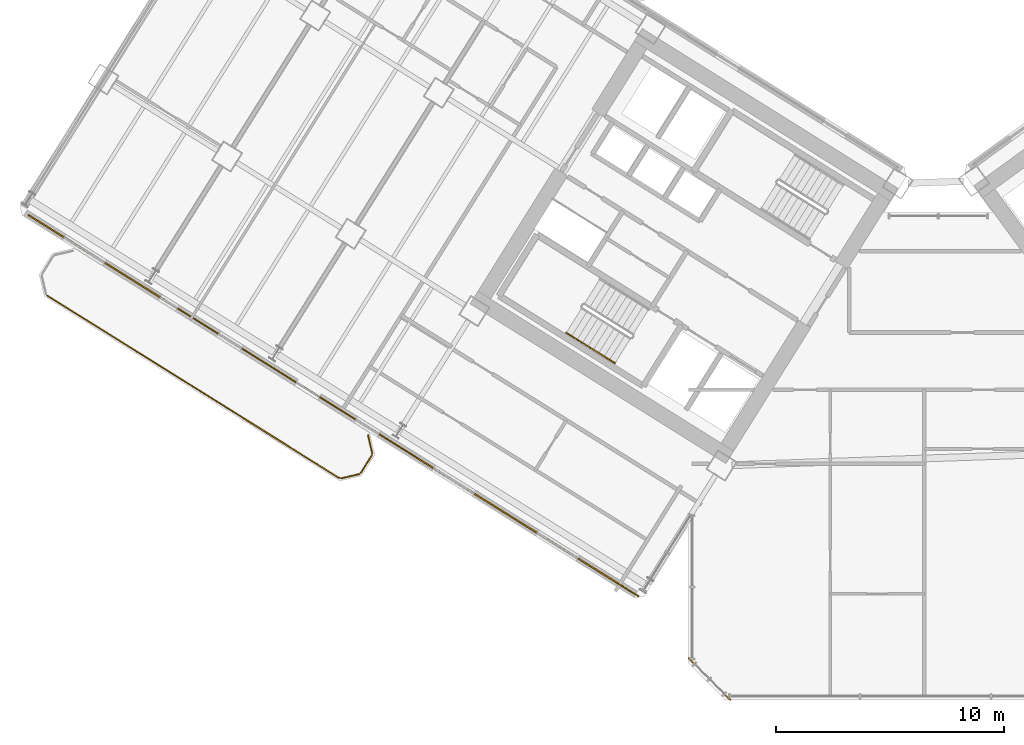
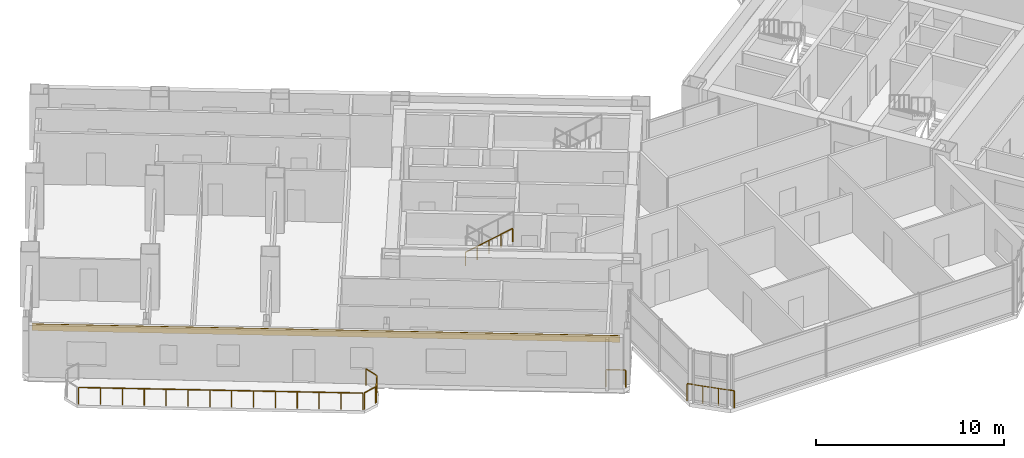
# One storey, part 21 of 28: 8 railings, 1 covering.
"""IFC4 building model written with IfcOpenShell, lengths in metres."""

import ifcopenshell
import ifcopenshell.guid

model = None  # the IFC model being written
_history = None  # IfcOwnerHistory: only IFC2X3 demands one
_inside = {}  # id of a spatial element -> (the spatial element, [elements in it])
_under = {}  # id of a project, library or spatial element -> (it, [spatial elements below it])
_declared = {}  # id of a project -> (the project, [libraries it declares])
_typed = {}  # id of a type object -> (the type object, [elements of that type])
_made_of = {}  # id of a material, layer set ... -> (it, [elements and type objects made of it])


def new_model(schema):
    """Start an empty IFC model of exactly this schema.

    Asked for "IFC4X3", IfcOpenShell would pick the latest addendum, in which some entities
    have other attributes; the version numbers below select the first issue.
    IFC2X3 requires an IfcOwnerHistory on every rooted entity: one is made here for all.
    """
    global model, _history
    if schema == "IFC4X3":
        model = ifcopenshell.file(schema_version=(4, 3, 0, 0))
    else:
        model = ifcopenshell.file(schema=schema)
    _inside.clear()
    _under.clear()
    _declared.clear()
    _typed.clear()
    _made_of.clear()
    _history = None
    if model.schema == "IFC2X3":
        org = make("IfcOrganization", Name="unknown")
        user = make(
            "IfcPersonAndOrganization",
            ThePerson=make("IfcPerson", FamilyName="unknown"),
            TheOrganization=org,
        )
        app = make(
            "IfcApplication",
            ApplicationDeveloper=org,
            Version="unknown",
            ApplicationFullName="unknown",
            ApplicationIdentifier="unknown",
        )
        _history = make(
            "IfcOwnerHistory",
            OwningUser=user,
            OwningApplication=app,
            ChangeAction="ADDED",
            CreationDate=0,
        )
    return model


def make(cls, **values):
    """One entity of the class cls with the attributes given. An attribute that is None is left unset."""
    return model.create_entity(
        cls, **{name: value for name, value in values.items() if value is not None}
    )


def rooted(cls, **values):
    """An entity with a GlobalId (a new one), such as an element, a storey or a relation."""
    return make(cls, GlobalId=ifcopenshell.guid.new(), OwnerHistory=_history, **values)


def si_unit(unit_type, name, prefix=None):
    """IfcSIUnit, for example si_unit("LENGTHUNIT", "METRE", prefix="MILLI")."""
    return make("IfcSIUnit", UnitType=unit_type, Prefix=prefix, Name=name)


def assignment(units):
    """IfcUnitAssignment: the units of a project."""
    return None if units is None else make("IfcUnitAssignment", Units=units)


def point(xyz):
    """IfcCartesianPoint."""
    return None if xyz is None else make("IfcCartesianPoint", Coordinates=xyz)


def direction(xyz):
    """IfcDirection."""
    return None if xyz is None else make("IfcDirection", DirectionRatios=xyz)


def frame(location, z_axis=None, x_axis=None):
    """IfcAxis2Placement3D, a coordinate frame: its origin and axes. An axis left out is left unset."""
    return make(
        "IfcAxis2Placement3D",
        Location=point(location),
        Axis=direction(z_axis),
        RefDirection=direction(x_axis),
    )


def frame_2d(location, x_axis=None):
    """IfcAxis2Placement2D, a coordinate frame in the plane: its origin and x axis."""
    return make(
        "IfcAxis2Placement2D", Location=point(location), RefDirection=direction(x_axis)
    )


def origin():
    """The frame at (0, 0, 0) with its axes left unset."""
    return frame((0.0, 0.0, 0.0))


def origin_2d():
    """The frame at (0, 0) in the plane with its x axis left unset."""
    return frame_2d((0.0, 0.0))


def place(relative_to, where):
    """IfcLocalPlacement: puts the frame where relative to a parent placement (None: the world)."""
    return make(
        "IfcLocalPlacement", PlacementRelTo=relative_to, RelativePlacement=where
    )


def context(
    kind, dimensions, precision=None, world=None, true_north=None, identifier=None
):
    """IfcGeometricRepresentationContext, for example the 3D "Model" context."""
    return make(
        "IfcGeometricRepresentationContext",
        ContextIdentifier=identifier,
        ContextType=kind,
        CoordinateSpaceDimension=dimensions,
        Precision=precision,
        WorldCoordinateSystem=world,
        TrueNorth=true_north,
    )


def subcontext(parent, identifier, kind, view, scale=None):
    """IfcGeometricRepresentationSubContext, for example "Body" below "Model"."""
    return make(
        "IfcGeometricRepresentationSubContext",
        ContextIdentifier=identifier,
        ContextType=kind,
        ParentContext=parent,
        TargetScale=scale,
        TargetView=view,
    )


def project(units=None, contexts=None):
    """IfcProject with its units and contexts."""
    return rooted(
        "IfcProject",
        Name="project",
        RepresentationContexts=contexts,
        UnitsInContext=assignment(units),
    )


def spatial(cls, under=None, at=None, **own):
    """A site, building, storey or space (cls), placed at a placement, below another one or the project."""
    s = rooted(cls, ObjectPlacement=at, **own)
    if under is not None:
        _under.setdefault(under.id(), (under, []))[1].append(s)
    return s


def profile(cls, at=None, kind="AREA", **sizes):
    """A parametric profile (cls). Its sizes go by their IFC names, for example OverallWidth=200.0."""
    return make(cls, ProfileType=kind, Position=at, **sizes)


def rectangle(**sizes):
    """IfcRectangleProfileDef."""
    return profile("IfcRectangleProfileDef", **sizes)


def extrude(swept, where, along, depth):
    """IfcExtrudedAreaSolid: the profile swept, set in the frame where, extruded along a direction by depth."""
    return make(
        "IfcExtrudedAreaSolid",
        SweptArea=swept,
        Position=where,
        ExtrudedDirection=direction(along),
        Depth=depth,
    )


def shape(context_of_items, identifier, shape_type, items):
    """IfcShapeRepresentation: the items that make up one representation, for example the "Body"."""
    return make(
        "IfcShapeRepresentation",
        ContextOfItems=context_of_items,
        RepresentationIdentifier=identifier,
        RepresentationType=shape_type,
        Items=items,
    )


def source(mapping_origin, context_of_items, identifier, shape_type, items):
    """IfcRepresentationMap: a shape defined once, which mapped items show again and again."""
    return make(
        "IfcRepresentationMap",
        MappingOrigin=mapping_origin,
        MappedRepresentation=shape(context_of_items, identifier, shape_type, items),
    )


def transform(
    local_origin,
    x_axis=None,
    y_axis=None,
    z_axis=None,
    scale=None,
    scale2=None,
    scale3=None,
    uniform=True,
):
    """IfcCartesianTransformationOperator3D, or its non-uniform kind. x_axis, y_axis, z_axis: its Axis1, 2, 3."""
    if uniform:
        return make(
            "IfcCartesianTransformationOperator3D",
            Axis1=direction(x_axis),
            Axis2=direction(y_axis),
            LocalOrigin=point(local_origin),
            Scale=scale,
            Axis3=direction(z_axis),
        )
    return make(
        "IfcCartesianTransformationOperator3DnonUniform",
        Axis1=direction(x_axis),
        Axis2=direction(y_axis),
        LocalOrigin=point(local_origin),
        Scale=scale,
        Axis3=direction(z_axis),
        Scale2=scale2,
        Scale3=scale3,
    )


def mapped(mapping_source, mapping_target):
    """IfcMappedItem: shows the shape of a source again, moved by a transform."""
    return make(
        "IfcMappedItem", MappingSource=mapping_source, MappingTarget=mapping_target
    )


def material(Name=None, Category=None):
    """IfcMaterial."""
    return make("IfcMaterial", Name=Name, Category=Category)


def layer(
    of_material, thickness, ventilated=None, Name=None, Category=None, Priority=None
):
    """IfcMaterialLayer: one layer of a wall or slab, of a material (None: an air gap)."""
    return make(
        "IfcMaterialLayer",
        Material=of_material,
        LayerThickness=thickness,
        IsVentilated=ventilated,
        Name=Name,
        Category=Category,
        Priority=Priority,
    )


def layer_set(layers, Name=None):
    """IfcMaterialLayerSet."""
    return make("IfcMaterialLayerSet", MaterialLayers=layers, LayerSetName=Name)


def made_of(thing, what):
    """Note that an element or type object is made of a material, layer set ...; save() writes the relation."""
    if what is not None:
        _made_of.setdefault(what.id(), (what, []))[1].append(thing)
    return thing


def type_object(cls, material=None, **own):
    """A type object (cls), such as IfcWallType, which elements share."""
    return made_of(rooted(cls, **own), material)


def element(
    cls,
    number,
    at=None,
    inside=None,
    cuts=None,
    type_object=None,
    material=None,
    context=None,
    identifier="Body",
    shape_type=None,
    held_by="IfcProductDefinitionShape",
    body=None,
    shapes=None,
    **own,
):
    """One element of the class cls, such as IfcWall. Its Tag is "e" and its number.

    at: its placement. inside: the storey or other place that contains it. cuts: it is an
    opening in that element (IfcRelVoidsElement). A single representation is given by context,
    identifier, shape_type and body (its items); several are given by shapes. held_by: the class
    of the entity that holds the representations. save() writes the other relations.
    """
    e = rooted(cls, Tag="e%d" % number, ObjectPlacement=at, **own)
    if body is not None:
        shapes = [shape(context, identifier, shape_type, body)]
    if shapes is not None:
        e.Representation = make(held_by, Representations=shapes)
    if inside is not None:
        _inside.setdefault(inside.id(), (inside, []))[1].append(e)
    if cuts is not None:
        rooted(
            "IfcRelVoidsElement", RelatingBuildingElement=cuts, RelatedOpeningElement=e
        )
    if type_object is not None:
        _typed.setdefault(type_object.id(), (type_object, []))[1].append(e)
    return made_of(e, material)


def aggregate(whole, parts):
    """IfcRelAggregates: a whole, such as a stair, and the parts it consists of."""
    return rooted("IfcRelAggregates", RelatingObject=whole, RelatedObjects=parts)


def save(model, path):
    """Write the relations noted so far, then the file.

    IfcRelAggregates (storeys below a building ...), IfcRelContainedInSpatialStructure (elements
    in a storey), IfcRelDefinesByType, IfcRelAssociatesMaterial and IfcRelDeclares: one each for
    every whole, place, type object, material and project.
    """
    for whole, parts in _under.values():
        aggregate(whole, parts)
    for where, things in _inside.values():
        rooted(
            "IfcRelContainedInSpatialStructure",
            RelatedElements=things,
            RelatingStructure=where,
        )
    for kind, things in _typed.values():
        rooted("IfcRelDefinesByType", RelatedObjects=things, RelatingType=kind)
    for what, things in _made_of.values():
        rooted("IfcRelAssociatesMaterial", RelatedObjects=things, RelatingMaterial=what)
    for by, libraries in _declared.values():
        rooted("IfcRelDeclares", RelatingContext=by, RelatedDefinitions=libraries)
    model.write(path)


model = new_model("IFC4")

# Units and contexts
model_context = context("Model", 3, precision=1e-05, world=origin(), true_north=direction((0.0, 1.0)))
body_context = subcontext(model_context, "Body", "Model", "MODEL_VIEW")
ifc_project = project(units=[si_unit("LENGTHUNIT", "METRE"), si_unit("AREAUNIT", "SQUARE_METRE"), si_unit("VOLUMEUNIT", "CUBIC_METRE"), si_unit("PLANEANGLEUNIT", "RADIAN"), si_unit("MASSUNIT", "GRAM", prefix="KILO")], contexts=[model_context])

# Site, building, storey
site_placement = place(None, origin())
site = spatial("IfcSite", under=ifc_project, at=site_placement, CompositionType="ELEMENT")
building_placement = place(site_placement, origin())
building = spatial("IfcBuilding", under=site, at=building_placement, Name="Tlacorven Tower", CompositionType="ELEMENT")
storey_placement = place(building_placement, frame((0.0, 0.0, 42.0)))
storey = spatial("IfcBuildingStorey", under=building, at=storey_placement, Name="L10", CompositionType="ELEMENT", Elevation=42.0)

# Railings
ifc_material_1 = material(Name="Aluminium and painted steel balustrade", Category="steel")
railing_type_1 = type_object("IfcRailingType", Name="RL-BAL-1100", PredefinedType="BALUSTRADE", material=ifc_material_1)
shared_shape_1 = source(origin(), body_context, "Body", "SweptSolid", [
    extrude(rectangle(XDim=0.048095703125, YDim=0.048095703125, at=origin_2d()), frame((0.0, 0.0, 1.076171875), z_axis=(0.225058334816, -0.974345290916, 0.0), x_axis=(0.974345290916, 0.225058334816, 0.0)), (0.0, 0.0, 1.0), 0.80712890625),
    extrude(rectangle(XDim=0.0419921875, YDim=0.0419921875, at=origin_2d()), origin(), (0.0, 0.0, 1.0), 1.052001953125),
    extrude(rectangle(XDim=0.0419921875, YDim=0.0419921875, at=origin_2d()), frame((0.181640625, -0.786376953125, 0.0)), (0.0, 0.0, 1.0), 1.052001953125),
])
railing_1_placement = place(storey_placement, frame((17.5244140625, 13.413330078125, 0.0)))
element("IfcRailing", 1, at=railing_1_placement, inside=storey, type_object=railing_type_1, Name="BAL-L10-W-OUT Guard Railing 1", PredefinedType="BALUSTRADE", context=body_context, shape_type="MappedRepresentation", body=[
    mapped(shared_shape_1, transform((0.0, 0.0, 0.0), scale=1.0)),
])
shared_shape_2 = source(origin(), body_context, "Body", "SweptSolid", [
    extrude(rectangle(XDim=0.048095703125, YDim=0.048095703125, at=origin_2d()), frame((0.0, 0.0, 1.076171875), z_axis=(-0.52987865805, -0.848073468364, 0.0), x_axis=(0.848073468364, -0.52987865805, 0.0)), (0.0, 0.0, 1.0), 0.912353515625),
    extrude(rectangle(XDim=0.0419921875, YDim=0.0419921875, at=origin_2d()), origin(), (0.0, 0.0, 1.0), 1.052001953125),
    extrude(rectangle(XDim=0.0419921875, YDim=0.0419921875, at=origin_2d()), frame((-0.4833984375, -0.773681640625, 0.0)), (0.0, 0.0, 1.0), 1.052001953125),
])
railing_2_placement = place(storey_placement, frame((17.690673828125, 12.535888671875, 0.0)))
element("IfcRailing", 2, at=railing_2_placement, inside=storey, type_object=railing_type_1, Name="BAL-L10-W-OUT Guard Railing 2", PredefinedType="BALUSTRADE", context=body_context, shape_type="MappedRepresentation", body=[
    mapped(shared_shape_2, transform((0.0, 0.0, 0.0), scale=1.0)),
])
shared_shape_3 = source(origin(), body_context, "Body", "SweptSolid", [
    extrude(rectangle(XDim=0.048095703125, YDim=0.048095703125, at=origin_2d()), frame((0.0, 0.0, 1.076171875), z_axis=(-0.974411586182, -0.224771129628, 0.0), x_axis=(0.224771129628, -0.974411586182, 0.0)), (0.0, 0.0, 1.0), 0.80712890625),
    extrude(rectangle(XDim=0.0419921875, YDim=0.0419921875, at=origin_2d()), origin(), (0.0, 0.0, 1.0), 1.052001953125),
    extrude(rectangle(XDim=0.0419921875, YDim=0.0419921875, at=origin_2d()), frame((-0.786376953125, -0.181396484375, 0.0)), (0.0, 0.0, 1.0), 1.052001953125),
])
railing_3_placement = place(storey_placement, frame((17.132080078125, 11.70849609375, 0.0)))
element("IfcRailing", 3, at=railing_3_placement, inside=storey, type_object=railing_type_1, Name="BAL-L10-W-OUT Guard Railing 3", PredefinedType="BALUSTRADE", context=body_context, shape_type="MappedRepresentation", body=[
    mapped(shared_shape_3, transform((0.0, 0.0, 0.0), scale=1.0)),
])
shared_shape_4 = source(origin(), body_context, "Body", "SweptSolid", [
    extrude(rectangle(XDim=0.048095703125, YDim=0.048095703125, at=origin_2d()), frame((0.0, 0.0, 1.076171875), z_axis=(-0.848044572804, 0.529924902733, 0.0), x_axis=(-0.529924902733, -0.848044572804, 0.0)), (0.0, 0.0, 1.0), 15.1171875),
    extrude(rectangle(XDim=0.0419921875, YDim=0.0419921875, at=origin_2d()), origin(), (0.0, 0.0, 1.0), 1.052001953125),
    extrude(rectangle(XDim=0.0419921875, YDim=0.0419921875, at=origin_2d()), frame((-0.986083984375, 0.6162109375, 0.0)), (0.0, 0.0, 1.0), 1.052001953125),
    extrude(rectangle(XDim=0.0419921875, YDim=0.0419921875, at=origin_2d()), frame((-1.972412109375, 1.232421875, 0.0)), (0.0, 0.0, 1.0), 1.052001953125),
    extrude(rectangle(XDim=0.0419921875, YDim=0.0419921875, at=origin_2d()), frame((-2.95849609375, 1.8486328125, 0.0)), (0.0, 0.0, 1.0), 1.052001953125),
    extrude(rectangle(XDim=0.0419921875, YDim=0.0419921875, at=origin_2d()), frame((-3.944580078125, 2.46484375, 0.0)), (0.0, 0.0, 1.0), 1.052001953125),
    extrude(rectangle(XDim=0.0419921875, YDim=0.0419921875, at=origin_2d()), frame((-4.930908203125, 3.0810546875, 0.0)), (0.0, 0.0, 1.0), 1.052001953125),
    extrude(rectangle(XDim=0.0419921875, YDim=0.0419921875, at=origin_2d()), frame((-5.9169921875, 3.697265625, 0.0)), (0.0, 0.0, 1.0), 1.052001953125),
    extrude(rectangle(XDim=0.0419921875, YDim=0.0419921875, at=origin_2d()), frame((-6.903076171875, 4.313720703125, 0.0)), (0.0, 0.0, 1.0), 1.052001953125),
    extrude(rectangle(XDim=0.0419921875, YDim=0.0419921875, at=origin_2d()), frame((-7.88916015625, 4.929931640625, 0.0)), (0.0, 0.0, 1.0), 1.052001953125),
    extrude(rectangle(XDim=0.0419921875, YDim=0.0419921875, at=origin_2d()), frame((-8.87548828125, 5.546142578125, 0.0)), (0.0, 0.0, 1.0), 1.052001953125),
    extrude(rectangle(XDim=0.0419921875, YDim=0.0419921875, at=origin_2d()), frame((-9.861572265625, 6.162353515625, 0.0)), (0.0, 0.0, 1.0), 1.052001953125),
    extrude(rectangle(XDim=0.0419921875, YDim=0.0419921875, at=origin_2d()), frame((-10.84765625, 6.778564453125, 0.0)), (0.0, 0.0, 1.0), 1.052001953125),
    extrude(rectangle(XDim=0.0419921875, YDim=0.0419921875, at=origin_2d()), frame((-11.833984375, 7.394775390625, 0.0)), (0.0, 0.0, 1.0), 1.052001953125),
    extrude(rectangle(XDim=0.0419921875, YDim=0.0419921875, at=origin_2d()), frame((-12.820068359375, 8.010986328125, 0.0)), (0.0, 0.0, 1.0), 1.052001953125),
])
railing_4_placement = place(storey_placement, frame((16.254638671875, 11.542236328125, 0.0)))
element("IfcRailing", 4, at=railing_4_placement, inside=storey, type_object=railing_type_1, Name="BAL-L10-W-OUT Guard Railing 4", PredefinedType="BALUSTRADE", context=body_context, shape_type="MappedRepresentation", body=[
    mapped(shared_shape_4, transform((0.0, 0.0, 0.0), scale=1.0)),
])
railing_type_2 = type_object("IfcRailingType", Name="RL-GRD-1150", PredefinedType="GUARDRAIL", material=ifc_material_1)
shared_shape_5 = source(origin(), body_context, "Body", "SweptSolid", [
    extrude(rectangle(XDim=0.048095703125, YDim=0.048095703125, at=origin_2d()), frame((0.0, 0.0, 1.1259765625), z_axis=(-0.707106781187, 0.707106781187, 0.0), x_axis=(-0.707106781187, -0.707106781187, 0.0)), (0.0, 0.0, 1.0), 2.590087890625),
    extrude(rectangle(XDim=0.0419921875, YDim=0.0419921875, at=origin_2d()), origin(), (0.0, 0.0, 1.0), 1.101806640625),
    extrude(rectangle(XDim=0.0419921875, YDim=0.0419921875, at=origin_2d()), frame((-0.610595703125, 0.610595703125, 0.0)), (0.0, 0.0, 1.0), 1.101806640625),
    extrude(rectangle(XDim=0.0419921875, YDim=0.0419921875, at=origin_2d()), frame((-1.220947265625, 1.220947265625, 0.0)), (0.0, 0.0, 1.0), 1.101806640625),
    extrude(rectangle(XDim=0.0419921875, YDim=0.0419921875, at=origin_2d()), frame((-1.83154296875, 1.83154296875, 0.0)), (0.0, 0.0, 1.0), 1.101806640625),
])
railing_5_placement = place(storey_placement, frame((33.428955078125, 1.79736328125, 0.0)))
element("IfcRailing", 5, at=railing_5_placement, inside=storey, type_object=railing_type_2, Name="L10 Knuckle Glazed Sill Guard 1", PredefinedType="GUARDRAIL", context=body_context, shape_type="MappedRepresentation", body=[
    mapped(shared_shape_5, transform((0.0, 0.0, 0.0), scale=1.0)),
])
shared_shape_6 = source(origin(), body_context, "Body", "SweptSolid", [
    extrude(rectangle(XDim=0.048095703125, YDim=0.048095703125, at=origin_2d()), frame((0.0, 0.0, 1.1259765625), z_axis=(-0.848102774857, 0.529831749973, 0.0), x_axis=(-0.529831749973, -0.848102774857, 0.0)), (0.0, 0.0, 1.0), 1.050048828125),
    extrude(rectangle(XDim=0.0419921875, YDim=0.0419921875, at=origin_2d()), origin(), (0.0, 0.0, 1.0), 1.101806640625),
    extrude(rectangle(XDim=0.0419921875, YDim=0.0419921875, at=origin_2d()), frame((-0.890625, 0.556396484375, 0.0)), (0.0, 0.0, 1.0), 1.101806640625),
])
railing_6_placement = place(storey_placement, frame((29.39501953125, 6.35009765625, 0.0)))
element("IfcRailing", 6, at=railing_6_placement, inside=storey, type_object=railing_type_2, Name="L10 Knuckle Glazed Sill Guard 2", PredefinedType="GUARDRAIL", context=body_context, shape_type="MappedRepresentation", body=[
    mapped(shared_shape_6, transform((0.0, 0.0, 0.0), scale=1.0)),
])

# Covering
ifc_material_2 = material(Name="Precast concrete C45/55", Category="concrete")
ifc_layer = layer(ifc_material_2, 0.06005859375)
ifc_layer_set = layer_set([ifc_layer], Name="Precast concrete C45/55")
covering_type = type_object("IfcCoveringType", Name="CV-CLD-TERC", PredefinedType="CLADDING", material=ifc_layer_set)
shared_shape_7 = source(origin(), body_context, "Body", "SweptSolid", [
    extrude(rectangle(XDim=31.287353515625, YDim=0.06005859375, at=origin_2d()), origin(), (0.0, 0.0, 1.0), 0.419921875),
])
covering_placement = place(storey_placement, frame((15.8740234375, 14.798828125, 2.929931640625), z_axis=(0.0, 0.0, 1.0), x_axis=(-0.84804812172, 0.529919223323, 0.0)))
element("IfcCovering", 7, at=covering_placement, inside=storey, type_object=covering_type, Name="L10 Masonry-Frame Spandrel Cladding 1", PredefinedType="CLADDING", context=body_context, shape_type="MappedRepresentation", body=[
    mapped(shared_shape_7, transform((0.0, 0.0, 0.0), scale=1.0)),
])

# Railings
railing_type_3 = type_object("IfcRailingType", Name="RL-HND-0900", PredefinedType="HANDRAIL", material=ifc_material_1)
shared_shape_8 = source(origin(), body_context, "Body", "SweptSolid", [
    extrude(rectangle(XDim=0.048095703125, YDim=0.048095703125, at=origin_2d()), frame((0.0, 0.0, 0.8759765625), z_axis=(0.713359751793, -0.4457479829, 0.540764828981), x_axis=(0.529911857636, 0.848052724267, 0.0)), (0.0, 0.0, 1.0), 1.498046875),
    extrude(rectangle(XDim=0.0419921875, YDim=0.0419921875, at=origin_2d()), origin(), (0.0, 0.0, 1.0), 0.851806640625),
    extrude(rectangle(XDim=0.0419921875, YDim=0.0419921875, at=origin_2d()), frame((0.5341796875, -0.333984375, 0.405029296875)), (0.0, 0.0, 1.0), 0.851806640625),
    extrude(rectangle(XDim=0.0419921875, YDim=0.0419921875, at=origin_2d()), frame((1.068603515625, -0.667724609375, 0.81005859375)), (0.0, 0.0, 1.0), 0.851806640625),
])
railing_7_placement = place(storey_placement, frame((26.228759765625, 17.915283203125, 1.97998046875)))
element("IfcRailing", 8, at=railing_7_placement, inside=storey, type_object=railing_type_3, Name="L10 ST-W1 stair handrail 3", PredefinedType="HANDRAIL", context=body_context, shape_type="MappedRepresentation", body=[
    mapped(shared_shape_8, transform((0.0, 0.0, 0.0), scale=1.0)),
])
shared_shape_9 = source(origin(), body_context, "Body", "SweptSolid", [
    extrude(rectangle(XDim=0.048095703125, YDim=0.048095703125, at=origin_2d()), frame((0.0, 0.0, 0.8759765625), z_axis=(0.713279695859, -0.445799809912, 0.540827703579), x_axis=(0.529998940003, 0.847998304005, 0.0)), (0.0, 0.0, 1.0), 1.497802734375),
    extrude(rectangle(XDim=0.0419921875, YDim=0.0419921875, at=origin_2d()), origin(), (0.0, 0.0, 1.0), 0.851806640625),
    extrude(rectangle(XDim=0.0419921875, YDim=0.0419921875, at=origin_2d()), frame((0.5341796875, -0.333984375, 0.405029296875)), (0.0, 0.0, 1.0), 0.851806640625),
    extrude(rectangle(XDim=0.0419921875, YDim=0.0419921875, at=origin_2d()), frame((1.068359375, -0.667724609375, 0.81005859375)), (0.0, 0.0, 1.0), 0.851806640625),
])
railing_8_placement = place(storey_placement, frame((27.29736328125, 17.24755859375, 2.7900390625)))
element("IfcRailing", 9, at=railing_8_placement, inside=storey, type_object=railing_type_3, Name="L10 ST-W1 stair handrail 4", PredefinedType="HANDRAIL", context=body_context, shape_type="MappedRepresentation", body=[
    mapped(shared_shape_9, transform((0.0, 0.0, 0.0), scale=1.0)),
])

save(model, "model.ifc")
